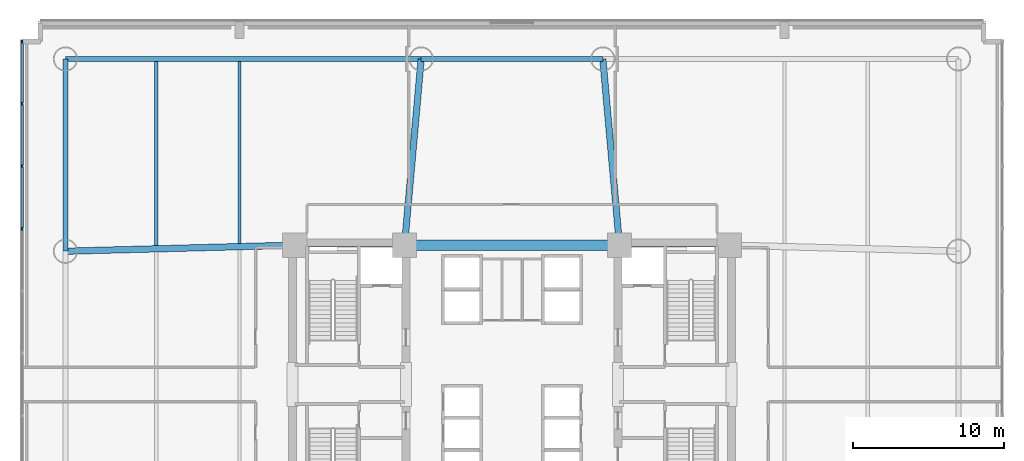
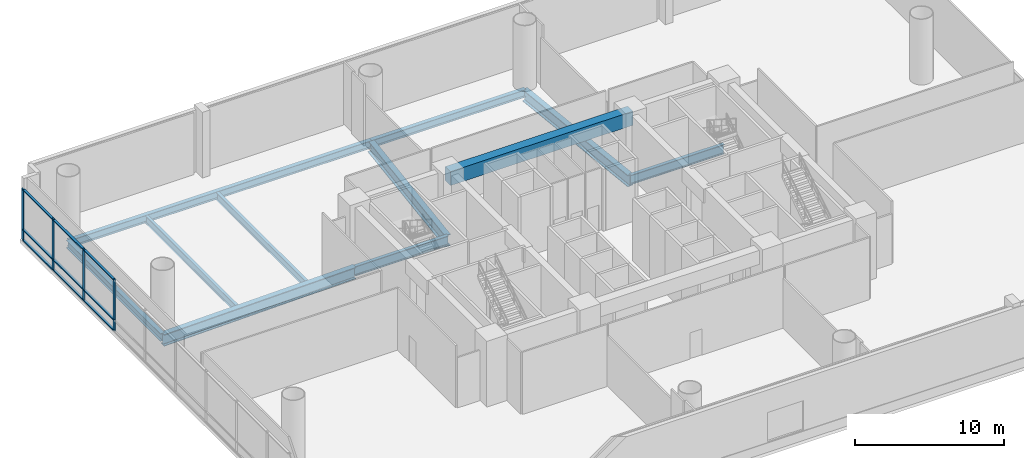
# One storey, part 4 of 15: 13 members, 11 beams, 1 element without a shape of its own.
"""IFC4 building model written with IfcOpenShell, lengths in metres."""

from ifc_helpers import new_model, si_unit, direction, frame, origin, origin_2d, place, context, subcontext, project, spatial, rectangle, i_section, extrude, source, transform, mapped, material, layer, layer_set, material_profile, profile_set, type_object, element, aggregate, save


model = new_model("IFC4")

# Units and contexts
model_context = context("Model", 3, precision=1e-05, world=origin(), true_north=direction((0.0, 1.0)))
body_context = subcontext(model_context, "Body", "Model", "MODEL_VIEW")
ifc_project = project(units=[si_unit("LENGTHUNIT", "METRE"), si_unit("AREAUNIT", "SQUARE_METRE"), si_unit("VOLUMEUNIT", "CUBIC_METRE"), si_unit("PLANEANGLEUNIT", "RADIAN"), si_unit("MASSUNIT", "GRAM", prefix="KILO")], contexts=[model_context])

# Site, building, storey
site_placement = place(None, origin())
site = spatial("IfcSite", under=ifc_project, at=site_placement, CompositionType="ELEMENT")
building_placement = place(site_placement, origin())
building = spatial("IfcBuilding", under=site, at=building_placement, Name="Zahravan Cultural Tower", CompositionType="ELEMENT")
storey_placement = place(building_placement, frame((0.0, 0.0, 7.199951171875)))
storey = spatial("IfcBuildingStorey", under=building, at=storey_placement, Name="L01", CompositionType="ELEMENT", Elevation=7.199951171875)

# Beams
ifc_material_1 = material(Name="Concrete C50/60", Category="concrete")
ifc_material_profile_1 = material_profile(ifc_material_1, rectangle(XDim=0.699951171875, YDim=1.14990234375, at=origin_2d()), Name="RC700X1150")
ifc_profile_set_1 = profile_set([ifc_material_profile_1], Name="Concrete C50/60")
beam_type_1 = type_object("IfcBeamType", Name="BM-LN-RC700X1150", PredefinedType="LINTEL", material=ifc_profile_set_1)
shared_shape_1 = source(origin(), body_context, "Body", "SweptSolid", [
    extrude(rectangle(XDim=0.699951171875, YDim=1.14990234375, at=origin_2d()), origin(), (0.0, 0.0, 1.0), 14.2001953125),
])
beam_1_placement = place(storey_placement, frame((28.89990234375, 36.199951171875, 4.525146484375), z_axis=(1.0, 0.0, 0.0), x_axis=(0.0, 1.0, 0.0)))
element("IfcBeam", 1, at=beam_1_placement, inside=storey, type_object=beam_type_1, Name="L01 Beam LN-L01-N", PredefinedType="LINTEL", context=body_context, shape_type="MappedRepresentation", body=[
    mapped(shared_shape_1, transform((0.0, 0.0, 0.0), x_axis=(1.0, 0.0, 0.0), y_axis=(0.0, 1.0, 0.0), z_axis=(0.0, 0.0, 1.0), scale=1.0)),
])
ifc_material_2 = material(Name="Steel ASTM A992 Grade 50", Category="steel")
ifc_material_profile_2 = material_profile(ifc_material_2, i_section(OverallWidth=0.26611328125, OverallDepth=0.780029296875, WebThickness=0.0166015625, FlangeThickness=0.030029296875, FilletRadius=0.01904296875, at=origin_2d()), Name="W30X148")
ifc_profile_set_2 = profile_set([ifc_material_profile_2], Name="Steel ASTM A992 Grade 50")
beam_type_2 = type_object("IfcBeamType", Name="BM-G-W30X148", PredefinedType="BEAM", material=ifc_profile_set_2)
shared_shape_2 = source(origin(), body_context, "Body", "SweptSolid", [
    extrude(i_section(OverallWidth=0.26611328125, OverallDepth=0.780029296875, WebThickness=0.0166015625, FlangeThickness=0.030029296875, FilletRadius=0.01904296875, at=origin_2d()), origin(), (0.0, 0.0, 1.0), 7.25),
])
for number, where, z_axis, x_axis, name in (
    (2, (21.64990234375, 36.199951171875, -0.68994140625), (1.0, 0.0, 0.0), (0.0, 1.0, 0.0), "L01 Beam BG-L01-02"),
    (3, (43.10009765625, 36.199951171875, -0.68994140625), (1.0, 0.0, 0.0), (0.0, 1.0, 0.0), "L01 Beam BG-L01-05"),
):
    element("IfcBeam", number, at=place(storey_placement, frame(where, z_axis=z_axis, x_axis=x_axis)), inside=storey, type_object=beam_type_2, Name=name, PredefinedType="BEAM", context=body_context, shape_type="MappedRepresentation", body=[
        mapped(shared_shape_2, transform((0.0, 0.0, 0.0), x_axis=(1.0, 0.0, 0.0), y_axis=(0.0, 1.0, 0.0), z_axis=(0.0, 0.0, 1.0), scale=1.0)),
    ])
ifc_material_profile_3 = material_profile(ifc_material_2, i_section(OverallWidth=0.326904296875, OverallDepth=0.6220703125, WebThickness=0.015380859375, FlangeThickness=0.0244140625, FilletRadius=0.014892578125, at=origin_2d()), Name="W24X131")
ifc_profile_set_3 = profile_set([ifc_material_profile_3], Name="Steel ASTM A992 Grade 50")
beam_type_3 = type_object("IfcBeamType", Name="BM-SP-W24X131", PredefinedType="SPANDREL", material=ifc_profile_set_3)
shared_shape_3 = source(origin(), body_context, "Body", "SweptSolid", [
    extrude(i_section(OverallWidth=0.326904296875, OverallDepth=0.6220703125, WebThickness=0.015380859375, FlangeThickness=0.0244140625, FilletRadius=0.014892578125, at=origin_2d()), origin(), (0.0, 0.0, 1.0), 23.5),
])
beam_2_placement = place(storey_placement, frame((6.5, 48.5, -0.61083984375), z_axis=(1.0, 0.0, 0.0), x_axis=(0.0, 1.0, 0.0)))
element("IfcBeam", 4, at=beam_2_placement, inside=storey, type_object=beam_type_3, Name="L01 Beam BG-L01-10", PredefinedType="SPANDREL", context=body_context, shape_type="MappedRepresentation", body=[
    mapped(shared_shape_3, transform((0.0, 0.0, 0.0), x_axis=(1.0, 0.0, 0.0), y_axis=(0.0, 1.0, 0.0), z_axis=(0.0, 0.0, 1.0), scale=1.0)),
])
shared_shape_4 = source(origin(), body_context, "Body", "SweptSolid", [
    extrude(i_section(OverallWidth=0.326904296875, OverallDepth=0.6220703125, WebThickness=0.015380859375, FlangeThickness=0.0244140625, FilletRadius=0.014892578125, at=origin_2d()), origin(), (0.0, 0.0, 1.0), 12.0),
])
beam_3_placement = place(storey_placement, frame((30.0, 48.5, -0.61083984375), z_axis=(1.0, 0.0, 0.0), x_axis=(0.0, 1.0, 0.0)))
element("IfcBeam", 5, at=beam_3_placement, inside=storey, type_object=beam_type_3, Name="L01 Beam BG-L01-11", PredefinedType="SPANDREL", context=body_context, shape_type="MappedRepresentation", body=[
    mapped(shared_shape_4, transform((0.0, 0.0, 0.0), x_axis=(1.0, 0.0, 0.0), y_axis=(0.0, 1.0, 0.0), z_axis=(0.0, 0.0, 1.0), scale=1.0)),
])
shared_shape_5 = source(origin(), body_context, "Body", "SweptSolid", [
    extrude(i_section(OverallWidth=0.326904296875, OverallDepth=0.6220703125, WebThickness=0.015380859375, FlangeThickness=0.0244140625, FilletRadius=0.014892578125, at=origin_2d()), origin(), (0.0, 0.0, 1.0), 12.699951171875),
])
beam_4_placement = place(storey_placement, frame((6.5, 35.800048828125, -0.61083984375), z_axis=(0.0, 1.0, 0.0), x_axis=(-1.0, 0.0, 0.0)))
element("IfcBeam", 6, at=beam_4_placement, inside=storey, type_object=beam_type_3, Name="L01 Beam BG-L01-15", PredefinedType="SPANDREL", context=body_context, shape_type="MappedRepresentation", body=[
    mapped(shared_shape_5, transform((0.0, 0.0, 0.0), x_axis=(1.0, 0.0, 0.0), y_axis=(0.0, 1.0, 0.0), z_axis=(0.0, 0.0, 1.0), scale=1.0)),
])
ifc_material_profile_4 = material_profile(ifc_material_2, i_section(OverallWidth=0.425048828125, OverallDepth=0.965087890625, WebThickness=0.0283203125, FlangeThickness=0.051025390625, FilletRadius=0.02392578125, at=origin_2d()), Name="W36X361")
ifc_profile_set_4 = profile_set([ifc_material_profile_4], Name="Steel ASTM A992 Grade 50")
beam_type_4 = type_object("IfcBeamType", Name="BM-G-W36X361", PredefinedType="BEAM", material=ifc_profile_set_4)
shared_shape_6 = source(origin(), body_context, "Body", "SweptSolid", [
    extrude(i_section(OverallWidth=0.425048828125, OverallDepth=0.965087890625, WebThickness=0.0283203125, FlangeThickness=0.051025390625, FilletRadius=0.02392578125, at=origin_2d()), origin(), (0.0, 0.0, 1.0), 15.1552734375),
])
beam_5_placement = place(storey_placement, frame((6.5, 35.800048828125, -0.782470703125), z_axis=(0.999651797923, 0.026387173188, 0.0), x_axis=(-0.026387173188, 0.999651797923, 0.0)))
element("IfcBeam", 7, at=beam_5_placement, inside=storey, type_object=beam_type_4, Name="L01 Beam BG-L01-20", PredefinedType="BEAM", context=body_context, shape_type="MappedRepresentation", body=[
    mapped(shared_shape_6, transform((0.0, 0.0, 0.0), x_axis=(1.0, 0.0, 0.0), y_axis=(0.0, 1.0, 0.0), z_axis=(0.0, 0.0, 1.0), scale=1.0)),
])
shared_shape_7 = source(origin(), body_context, "Body", "SweptSolid", [
    extrude(i_section(OverallWidth=0.425048828125, OverallDepth=0.965087890625, WebThickness=0.0283203125, FlangeThickness=0.051025390625, FilletRadius=0.02392578125, at=origin_2d()), origin(), (0.0, 0.0, 1.0), 12.34912109375),
])
for number, where, z_axis, x_axis, name in (
    (8, (30.0, 48.5, -0.782470703125), (-0.089082890706, -0.996024215862, 0.0), (0.996024215862, -0.089082890706, 0.0), "L01 Beam BG-L01-25"),
    (9, (42.0, 48.5, -0.782470703125), (0.089082890706, -0.996024215862, 0.0), (0.996024215862, 0.089082890706, 0.0), "L01 Beam BG-L01-26"),
):
    element("IfcBeam", number, at=place(storey_placement, frame(where, z_axis=z_axis, x_axis=x_axis)), inside=storey, type_object=beam_type_4, Name=name, PredefinedType="BEAM", context=body_context, shape_type="MappedRepresentation", body=[
        mapped(shared_shape_7, transform((0.0, 0.0, 0.0), x_axis=(1.0, 0.0, 0.0), y_axis=(0.0, 1.0, 0.0), z_axis=(0.0, 0.0, 1.0), scale=1.0)),
    ])
ifc_material_profile_5 = material_profile(ifc_material_2, i_section(OverallWidth=0.22998046875, OverallDepth=0.616943359375, WebThickness=0.01318359375, FlangeThickness=0.022216796875, FilletRadius=0.014892578125, at=origin_2d()), Name="W24X94")
ifc_profile_set_5 = profile_set([ifc_material_profile_5], Name="Steel ASTM A992 Grade 50")
beam_type_5 = type_object("IfcBeamType", Name="BM-J-W24X94", PredefinedType="JOIST", material=ifc_profile_set_5)
shared_shape_8 = source(origin(), body_context, "Body", "SweptSolid", [
    extrude(i_section(OverallWidth=0.22998046875, OverallDepth=0.616943359375, WebThickness=0.01318359375, FlangeThickness=0.022216796875, FilletRadius=0.014892578125, at=origin_2d()), origin(), (0.0, 0.0, 1.0), 12.16357421875),
])
beam_6_placement = place(storey_placement, frame((12.5, 36.17138671875, -0.6083984375), z_axis=(0.0, 1.0, 0.0), x_axis=(-1.0, 0.0, 0.0)))
element("IfcBeam", 10, at=beam_6_placement, inside=storey, type_object=beam_type_5, Name="L01 Beam BJ-L01-29", PredefinedType="JOIST", context=body_context, shape_type="MappedRepresentation", body=[
    mapped(shared_shape_8, transform((0.0, 0.0, 0.0), x_axis=(1.0, 0.0, 0.0), y_axis=(0.0, 1.0, 0.0), z_axis=(0.0, 0.0, 1.0), scale=1.0)),
])
shared_shape_9 = source(origin(), body_context, "Body", "SweptSolid", [
    extrude(i_section(OverallWidth=0.22998046875, OverallDepth=0.616943359375, WebThickness=0.01318359375, FlangeThickness=0.022216796875, FilletRadius=0.014892578125, at=origin_2d()), origin(), (0.0, 0.0, 1.0), 12.018310546875),
])
beam_7_placement = place(storey_placement, frame((18.0, 36.316650390625, -0.6083984375), z_axis=(0.0, 1.0, 0.0), x_axis=(-1.0, 0.0, 0.0)))
element("IfcBeam", 11, at=beam_7_placement, inside=storey, type_object=beam_type_5, Name="L01 Beam BJ-L01-32", PredefinedType="JOIST", context=body_context, shape_type="MappedRepresentation", body=[
    mapped(shared_shape_9, transform((0.0, 0.0, 0.0), x_axis=(1.0, 0.0, 0.0), y_axis=(0.0, 1.0, 0.0), z_axis=(0.0, 0.0, 1.0), scale=1.0)),
])

# Curtain wall, members
ifc_material_3 = material(Name="Anodised bronze-aluminium mullion", Category="aluminium")
ifc_layer = layer(ifc_material_3, 0.239990234375)
ifc_layer_set = layer_set([ifc_layer], Name="Anodised bronze-aluminium mullion")
curtain_wall_type = type_object("IfcCurtainWallType", Name="CW-SYS-5", PredefinedType="USERDEFINED", material=ifc_layer_set)
curtain_wall_placement = place(storey_placement, origin())
curtain_wall = element("IfcCurtainWall", 12, at=curtain_wall_placement, inside=storey, type_object=curtain_wall_type, Name="L01 Recessed Curtain Wall CW-5.2", ObjectType="RECESSED GLAZING", PredefinedType="USERDEFINED")
ifc_material_profile_6 = material_profile(ifc_material_3, rectangle(XDim=0.0849609375, YDim=0.239990234375, at=origin_2d()), Name="AL-M85X240")
ifc_profile_set_6 = profile_set([ifc_material_profile_6], Name="Anodised bronze-aluminium mullion")
member_type_1 = type_object("IfcMemberType", Name="CWM-CW-5", PredefinedType="MULLION", material=ifc_profile_set_6)
shared_shape_10 = source(origin(), body_context, "Body", "SweptSolid", [
    extrude(rectangle(XDim=0.0849609375, YDim=0.239990234375, at=origin_2d()), origin(), (0.0, 0.0, 1.0), 4.219970703125),
])
member_1_placement = place(storey_placement, frame((3.639892578125, 37.300048828125, 0.0), z_axis=(0.0, 0.0, 1.0), x_axis=(-1.0, 0.0, 0.0)))
member_1 = element("IfcMember", 13, at=member_1_placement, type_object=member_type_1, Name="CW-5 mullion 9", PredefinedType="MULLION", context=body_context, shape_type="MappedRepresentation", body=[
    mapped(shared_shape_10, transform((0.0, 0.0, 0.0), x_axis=(1.0, 0.0, 0.0), y_axis=(0.0, 1.0, 0.0), z_axis=(0.0, 0.0, 1.0), scale=1.0)),
])
member_2_placement = place(storey_placement, frame((3.639892578125, 41.419921875, 0.0), z_axis=(0.0, 0.0, 1.0), x_axis=(-1.0, 0.0, 0.0)))
member_2 = element("IfcMember", 14, at=member_2_placement, type_object=member_type_1, Name="CW-5 mullion 10", PredefinedType="MULLION", context=body_context, shape_type="MappedRepresentation", body=[
    mapped(shared_shape_10, transform((0.0, 0.0, 0.0), x_axis=(1.0, 0.0, 0.0), y_axis=(0.0, 1.0, 0.0), z_axis=(0.0, 0.0, 1.0), scale=1.0)),
])
member_3_placement = place(storey_placement, frame((3.639892578125, 45.5400390625, 0.0), z_axis=(0.0, 0.0, 1.0), x_axis=(-1.0, 0.0, 0.0)))
member_3 = element("IfcMember", 15, at=member_3_placement, type_object=member_type_1, Name="CW-5 mullion 11", PredefinedType="MULLION", context=body_context, shape_type="MappedRepresentation", body=[
    mapped(shared_shape_10, transform((0.0, 0.0, 0.0), x_axis=(1.0, 0.0, 0.0), y_axis=(0.0, 1.0, 0.0), z_axis=(0.0, 0.0, 1.0), scale=1.0)),
])
member_4_placement = place(storey_placement, frame((3.639892578125, 49.617431640625, 0.0), z_axis=(0.0, 0.0, 1.0), x_axis=(-1.0, 0.0, 0.0)))
member_4 = element("IfcMember", 16, at=member_4_placement, type_object=member_type_1, Name="CW-5 mullion 12", PredefinedType="MULLION", context=body_context, shape_type="MappedRepresentation", body=[
    mapped(shared_shape_10, transform((0.0, 0.0, 0.0), x_axis=(1.0, 0.0, 0.0), y_axis=(0.0, 1.0, 0.0), z_axis=(0.0, 0.0, 1.0), scale=1.0)),
])
ifc_material_profile_7 = material_profile(ifc_material_3, rectangle(XDim=0.179931640625, YDim=0.0849609375, at=origin_2d()), Name="AL-T85X180")
ifc_profile_set_7 = profile_set([ifc_material_profile_7], Name="Anodised bronze-aluminium mullion")
member_type_2 = type_object("IfcMemberType", Name="CWT-CW-5", PredefinedType="USERDEFINED", material=ifc_profile_set_7)
shared_shape_11 = source(origin(), body_context, "Body", "SweptSolid", [
    extrude(rectangle(XDim=0.179931640625, YDim=0.0849609375, at=origin_2d()), origin(), (0.0, 0.0, 1.0), 3.992431640625),
])
member_5_placement = place(storey_placement, frame((3.639892578125, 45.58251953125, 0.04248046875), z_axis=(0.0, 1.0, 0.0), x_axis=(-1.0, 0.0, 0.0)))
member_5 = element("IfcMember", 17, at=member_5_placement, type_object=member_type_2, Name="CW-5 transom 11.1", ObjectType="TRANSOM", PredefinedType="USERDEFINED", context=body_context, shape_type="MappedRepresentation", body=[
    mapped(shared_shape_11, transform((0.0, 0.0, 0.0), x_axis=(1.0, 0.0, 0.0), y_axis=(0.0, 1.0, 0.0), z_axis=(0.0, 0.0, 1.0), scale=1.0)),
])
member_6_placement = place(storey_placement, frame((3.639892578125, 45.58251953125, 0.900146484375), z_axis=(0.0, 1.0, 0.0), x_axis=(-1.0, 0.0, 0.0)))
member_6 = element("IfcMember", 18, at=member_6_placement, type_object=member_type_2, Name="CW-5 transom 11.2", ObjectType="TRANSOM", PredefinedType="USERDEFINED", context=body_context, shape_type="MappedRepresentation", body=[
    mapped(shared_shape_11, transform((0.0, 0.0, 0.0), x_axis=(1.0, 0.0, 0.0), y_axis=(0.0, 1.0, 0.0), z_axis=(0.0, 0.0, 1.0), scale=1.0)),
])
member_7_placement = place(storey_placement, frame((3.639892578125, 45.58251953125, 4.177490234375), z_axis=(0.0, 1.0, 0.0), x_axis=(-1.0, 0.0, 0.0)))
member_7 = element("IfcMember", 19, at=member_7_placement, type_object=member_type_2, Name="CW-5 transom 11.3", ObjectType="TRANSOM", PredefinedType="USERDEFINED", context=body_context, shape_type="MappedRepresentation", body=[
    mapped(shared_shape_11, transform((0.0, 0.0, 0.0), x_axis=(1.0, 0.0, 0.0), y_axis=(0.0, 1.0, 0.0), z_axis=(0.0, 0.0, 1.0), scale=1.0)),
])
shared_shape_12 = source(origin(), body_context, "Body", "SweptSolid", [
    extrude(rectangle(XDim=0.179931640625, YDim=0.0849609375, at=origin_2d()), origin(), (0.0, 0.0, 1.0), 4.03515625),
])
member_8_placement = place(storey_placement, frame((3.639892578125, 41.46240234375, 0.04248046875), z_axis=(0.0, 1.0, 0.0), x_axis=(-1.0, 0.0, 0.0)))
member_8 = element("IfcMember", 20, at=member_8_placement, type_object=member_type_2, Name="CW-5 transom 10.1", ObjectType="TRANSOM", PredefinedType="USERDEFINED", context=body_context, shape_type="MappedRepresentation", body=[
    mapped(shared_shape_12, transform((0.0, 0.0, 0.0), x_axis=(1.0, 0.0, 0.0), y_axis=(0.0, 1.0, 0.0), z_axis=(0.0, 0.0, 1.0), scale=1.0)),
])
member_9_placement = place(storey_placement, frame((3.639892578125, 41.46240234375, 0.900146484375), z_axis=(0.0, 1.0, 0.0), x_axis=(-1.0, 0.0, 0.0)))
member_9 = element("IfcMember", 21, at=member_9_placement, type_object=member_type_2, Name="CW-5 transom 10.2", ObjectType="TRANSOM", PredefinedType="USERDEFINED", context=body_context, shape_type="MappedRepresentation", body=[
    mapped(shared_shape_12, transform((0.0, 0.0, 0.0), x_axis=(1.0, 0.0, 0.0), y_axis=(0.0, 1.0, 0.0), z_axis=(0.0, 0.0, 1.0), scale=1.0)),
])
member_10_placement = place(storey_placement, frame((3.639892578125, 41.46240234375, 4.177490234375), z_axis=(0.0, 1.0, 0.0), x_axis=(-1.0, 0.0, 0.0)))
member_10 = element("IfcMember", 22, at=member_10_placement, type_object=member_type_2, Name="CW-5 transom 10.3", ObjectType="TRANSOM", PredefinedType="USERDEFINED", context=body_context, shape_type="MappedRepresentation", body=[
    mapped(shared_shape_12, transform((0.0, 0.0, 0.0), x_axis=(1.0, 0.0, 0.0), y_axis=(0.0, 1.0, 0.0), z_axis=(0.0, 0.0, 1.0), scale=1.0)),
])
shared_shape_13 = source(origin(), body_context, "Body", "SweptSolid", [
    extrude(rectangle(XDim=0.179931640625, YDim=0.0849609375, at=origin_2d()), origin(), (0.0, 0.0, 1.0), 4.034912109375),
])
member_11_placement = place(storey_placement, frame((3.639892578125, 37.342529296875, 0.04248046875), z_axis=(0.0, 1.0, 0.0), x_axis=(-1.0, 0.0, 0.0)))
member_11 = element("IfcMember", 23, at=member_11_placement, type_object=member_type_2, Name="CW-5 transom 9.1", ObjectType="TRANSOM", PredefinedType="USERDEFINED", context=body_context, shape_type="MappedRepresentation", body=[
    mapped(shared_shape_13, transform((0.0, 0.0, 0.0), x_axis=(1.0, 0.0, 0.0), y_axis=(0.0, 1.0, 0.0), z_axis=(0.0, 0.0, 1.0), scale=1.0)),
])
member_12_placement = place(storey_placement, frame((3.639892578125, 37.342529296875, 0.900146484375), z_axis=(0.0, 1.0, 0.0), x_axis=(-1.0, 0.0, 0.0)))
member_12 = element("IfcMember", 24, at=member_12_placement, type_object=member_type_2, Name="CW-5 transom 9.2", ObjectType="TRANSOM", PredefinedType="USERDEFINED", context=body_context, shape_type="MappedRepresentation", body=[
    mapped(shared_shape_13, transform((0.0, 0.0, 0.0), x_axis=(1.0, 0.0, 0.0), y_axis=(0.0, 1.0, 0.0), z_axis=(0.0, 0.0, 1.0), scale=1.0)),
])
member_13_placement = place(storey_placement, frame((3.639892578125, 37.342529296875, 4.177490234375), z_axis=(0.0, 1.0, 0.0), x_axis=(-1.0, 0.0, 0.0)))
member_13 = element("IfcMember", 25, at=member_13_placement, type_object=member_type_2, Name="CW-5 transom 9.3", ObjectType="TRANSOM", PredefinedType="USERDEFINED", context=body_context, shape_type="MappedRepresentation", body=[
    mapped(shared_shape_13, transform((0.0, 0.0, 0.0), x_axis=(1.0, 0.0, 0.0), y_axis=(0.0, 1.0, 0.0), z_axis=(0.0, 0.0, 1.0), scale=1.0)),
])
aggregate(curtain_wall, [member_1, member_2, member_3, member_4, member_11, member_12, member_13, member_8, member_9, member_10, member_5, member_6, member_7])

save(model, "model.ifc")
